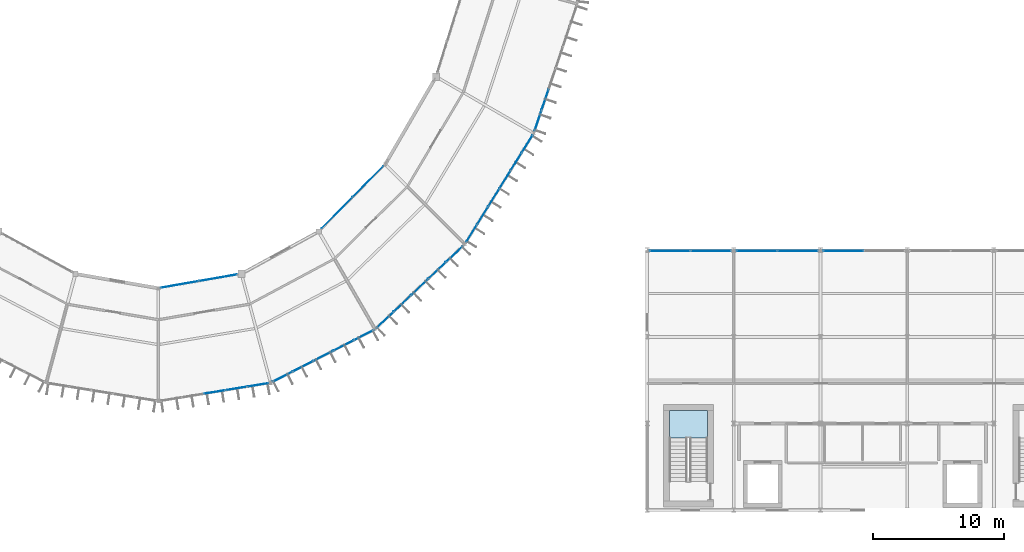
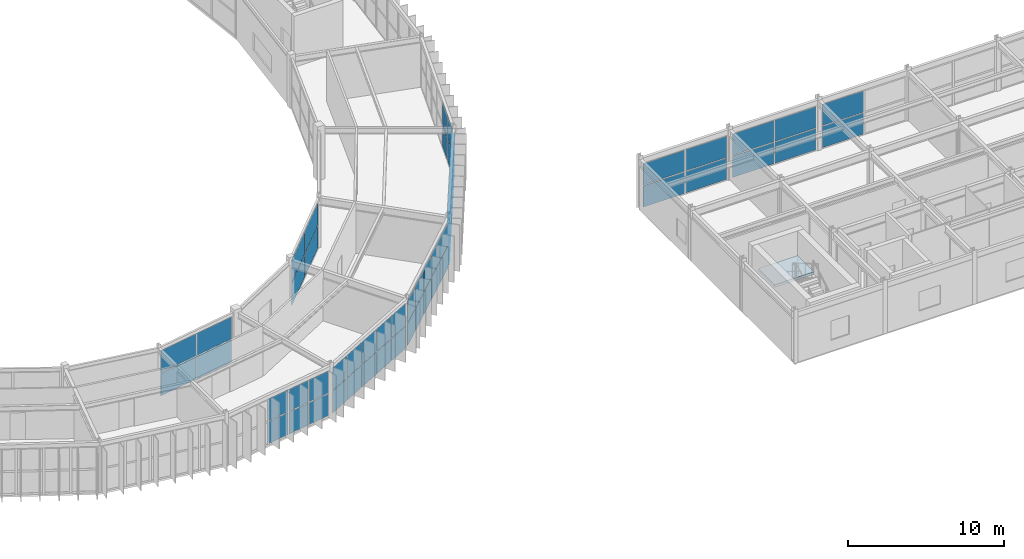
# One storey, part 95 of 134: 60 plates, 1 slab, 11 elements without a shape of their own.
"""IFC4 building model written with IfcOpenShell, lengths in metres."""

from ifc_helpers import new_model, si_unit, direction, frame, origin, origin_2d, place, context, subcontext, project, spatial, polyline, rectangle, outline, extrude, material, layer, layer_set, type_object, element, aggregate, save


model = new_model("IFC4")

# Units and contexts
model_context = context("Model", 3, precision=1e-05, world=origin(), true_north=direction((0.0, 1.0)))
body_context = subcontext(model_context, "Body", "Model", "MODEL_VIEW")
ifc_project = project(units=[si_unit("LENGTHUNIT", "METRE"), si_unit("AREAUNIT", "SQUARE_METRE"), si_unit("VOLUMEUNIT", "CUBIC_METRE"), si_unit("PLANEANGLEUNIT", "RADIAN"), si_unit("MASSUNIT", "GRAM", prefix="KILO")], contexts=[model_context])

# Site, building, storey
site_placement = place(None, origin())
site = spatial("IfcSite", under=ifc_project, at=site_placement, CompositionType="ELEMENT")
building_placement = place(site_placement, origin())
building = spatial("IfcBuilding", under=site, at=building_placement, Name="Karori Crest Natural Sciences Institute", CompositionType="ELEMENT")
storey_placement = place(building_placement, frame((0.0, 0.0, 21.699951171875)))
storey = spatial("IfcBuildingStorey", under=building, at=storey_placement, Name="L05", CompositionType="ELEMENT", Elevation=21.699951171875)

# Curtain wall, plates
ifc_material_1 = material(Name="Anodised architectural aluminium 6063-T6", Category="aluminium")
curtain_wall_type_1 = type_object("IfcCurtainWallType", Name="CWT-09", PredefinedType="NOTDEFINED", material=ifc_material_1)
curtain_wall_1_placement = place(storey_placement, origin())
curtain_wall_1 = element("IfcCurtainWall", 1, at=curtain_wall_1_placement, inside=storey, type_object=curtain_wall_type_1, Name="Curtain wall CW-0199", PredefinedType="NOTDEFINED")
ifc_material_2 = material(Name="Double low-E laminated glass", Category="glass")
ifc_layer_1 = layer(ifc_material_2, 0.02392578125, Name="Double low-E laminated glass")
ifc_layer_set_1 = layer_set([ifc_layer_1], Name="Double low-E laminated glass")
plate_type_1 = type_object("IfcPlateType", Name="CWP-01", PredefinedType="CURTAIN_PANEL", material=ifc_layer_set_1)
plate_1_placement = place(storey_placement, frame((73.970947265625, 10.332275390625, 0.06494140625), z_axis=(0.0, 0.0, 1.0), x_axis=(-0.987011397252, -0.160650246484, 0.0)))
plate_1 = element("IfcPlate", 2, at=plate_1_placement, type_object=plate_type_1, Name="CW-0199 panel 1.1", PredefinedType="CURTAIN_PANEL", context=body_context, shape_type="SweptSolid", body=[
    extrude(rectangle(XDim=1.582275390625, YDim=0.02392578125, at=origin_2d()), origin(), (0.0, 0.0, 1.0), 1.715087890625),
])
plate_2_placement = place(storey_placement, frame((73.970947265625, 10.332275390625, 1.84521484375), z_axis=(0.0, 0.0, 1.0), x_axis=(-0.987011397252, -0.160650246484, 0.0)))
plate_2 = element("IfcPlate", 3, at=plate_2_placement, type_object=plate_type_1, Name="CW-0199 panel 1.2", PredefinedType="CURTAIN_PANEL", context=body_context, shape_type="SweptSolid", body=[
    extrude(rectangle(XDim=1.582275390625, YDim=0.02392578125, at=origin_2d()), origin(), (0.0, 0.0, 1.0), 1.715087890625),
])
plate_3_placement = place(storey_placement, frame((72.328857421875, 10.06494140625, 0.06494140625), z_axis=(0.0, 0.0, 1.0), x_axis=(-0.987011397252, -0.160650246484, 0.0)))
plate_3 = element("IfcPlate", 4, at=plate_3_placement, type_object=plate_type_1, Name="CW-0199 panel 2.1", PredefinedType="CURTAIN_PANEL", context=body_context, shape_type="SweptSolid", body=[
    extrude(rectangle(XDim=1.61474609375, YDim=0.02392578125, at=origin_2d()), origin(), (0.0, 0.0, 1.0), 1.715087890625),
])
plate_4_placement = place(storey_placement, frame((72.328857421875, 10.06494140625, 1.84521484375), z_axis=(0.0, 0.0, 1.0), x_axis=(-0.987011397252, -0.160650246484, 0.0)))
plate_4 = element("IfcPlate", 5, at=plate_4_placement, type_object=plate_type_1, Name="CW-0199 panel 2.2", PredefinedType="CURTAIN_PANEL", context=body_context, shape_type="SweptSolid", body=[
    extrude(rectangle(XDim=1.61474609375, YDim=0.02392578125, at=origin_2d()), origin(), (0.0, 0.0, 1.0), 1.715087890625),
])
plate_5_placement = place(storey_placement, frame((70.6708984375, 9.795166015625, 0.06494140625), z_axis=(0.0, 0.0, 1.0), x_axis=(-0.987011397252, -0.160650246484, 0.0)))
plate_5 = element("IfcPlate", 6, at=plate_5_placement, type_object=plate_type_1, Name="CW-0199 panel 3.1", PredefinedType="CURTAIN_PANEL", context=body_context, shape_type="SweptSolid", body=[
    extrude(rectangle(XDim=1.61474609375, YDim=0.02392578125, at=origin_2d()), origin(), (0.0, 0.0, 1.0), 1.715087890625),
])
plate_6_placement = place(storey_placement, frame((70.6708984375, 9.795166015625, 1.84521484375), z_axis=(0.0, 0.0, 1.0), x_axis=(-0.987011397252, -0.160650246484, 0.0)))
plate_6 = element("IfcPlate", 7, at=plate_6_placement, type_object=plate_type_1, Name="CW-0199 panel 3.2", PredefinedType="CURTAIN_PANEL", context=body_context, shape_type="SweptSolid", body=[
    extrude(rectangle(XDim=1.61474609375, YDim=0.02392578125, at=origin_2d()), origin(), (0.0, 0.0, 1.0), 1.715087890625),
])
aggregate(curtain_wall_1, [plate_1, plate_2, plate_3, plate_4, plate_5, plate_6])

curtain_wall_type_2 = type_object("IfcCurtainWallType", Name="CWT-14", PredefinedType="NOTDEFINED", material=ifc_material_1)
curtain_wall_2_placement = place(storey_placement, origin())
curtain_wall_2 = element("IfcCurtainWall", 8, at=curtain_wall_2_placement, inside=storey, type_object=curtain_wall_type_2, Name="Curtain wall CW-0200", PredefinedType="NOTDEFINED")
plate_7_placement = place(storey_placement, frame((68.001953125, 17.978271484375, 0.06005859375), z_axis=(0.0, 0.0, 1.0), x_axis=(0.985240827231, 0.171173924291, 0.0)))
plate_7 = element("IfcPlate", 9, at=plate_7_placement, type_object=plate_type_1, Name="CW-0200 panel 1.1", PredefinedType="CURTAIN_PANEL", context=body_context, shape_type="SweptSolid", body=[
    extrude(rectangle(XDim=2.91796875, YDim=0.02392578125, at=origin_2d()), origin(), (0.0, 0.0, 1.0), 1.735107421875),
])
plate_8_placement = place(storey_placement, frame((68.001953125, 17.978271484375, 1.85498046875), z_axis=(0.0, 0.0, 1.0), x_axis=(0.985240827231, 0.171173924291, 0.0)))
plate_8 = element("IfcPlate", 10, at=plate_8_placement, type_object=plate_type_1, Name="CW-0200 panel 1.2", PredefinedType="CURTAIN_PANEL", context=body_context, shape_type="SweptSolid", body=[
    extrude(rectangle(XDim=2.91796875, YDim=0.02392578125, at=origin_2d()), origin(), (0.0, 0.0, 1.0), 1.735107421875),
])
plate_9_placement = place(storey_placement, frame((70.940673828125, 18.489013671875, 0.06005859375), z_axis=(0.0, 0.0, 1.0), x_axis=(0.985240827231, 0.171173924291, 0.0)))
plate_9 = element("IfcPlate", 11, at=plate_9_placement, type_object=plate_type_1, Name="CW-0200 panel 2.1", PredefinedType="CURTAIN_PANEL", context=body_context, shape_type="SweptSolid", body=[
    extrude(rectangle(XDim=2.91796875, YDim=0.02392578125, at=origin_2d()), origin(), (0.0, 0.0, 1.0), 1.735107421875),
])
plate_10_placement = place(storey_placement, frame((70.940673828125, 18.489013671875, 1.85498046875), z_axis=(0.0, 0.0, 1.0), x_axis=(0.985240827231, 0.171173924291, 0.0)))
plate_10 = element("IfcPlate", 12, at=plate_10_placement, type_object=plate_type_1, Name="CW-0200 panel 2.2", PredefinedType="CURTAIN_PANEL", context=body_context, shape_type="SweptSolid", body=[
    extrude(rectangle(XDim=2.91796875, YDim=0.02392578125, at=origin_2d()), origin(), (0.0, 0.0, 1.0), 1.735107421875),
])
aggregate(curtain_wall_2, [plate_7, plate_8, plate_9, plate_10])

curtain_wall_type_3 = type_object("IfcCurtainWallType", Name="CWT-11", PredefinedType="NOTDEFINED", material=ifc_material_1)
curtain_wall_3_placement = place(storey_placement, origin())
curtain_wall_3 = element("IfcCurtainWall", 13, at=curtain_wall_3_placement, inside=storey, type_object=curtain_wall_type_3, Name="Curtain wall CW-0203", PredefinedType="NOTDEFINED")
plate_11_placement = place(storey_placement, frame((79.99658203125, 23.42822265625, 0.06005859375), z_axis=(0.0, 0.0, 1.0), x_axis=(0.702660818381, 0.711524963942, 0.0)))
plate_11 = element("IfcPlate", 14, at=plate_11_placement, type_object=plate_type_1, Name="CW-0203 panel 1.1", PredefinedType="CURTAIN_PANEL", context=body_context, shape_type="SweptSolid", body=[
    extrude(rectangle(XDim=3.286865234375, YDim=0.02392578125, at=origin_2d()), origin(), (0.0, 0.0, 1.0), 1.735107421875),
])
plate_12_placement = place(storey_placement, frame((79.99658203125, 23.42822265625, 1.85498046875), z_axis=(0.0, 0.0, 1.0), x_axis=(0.702660818381, 0.711524963942, 0.0)))
plate_12 = element("IfcPlate", 15, at=plate_12_placement, type_object=plate_type_1, Name="CW-0203 panel 1.2", PredefinedType="CURTAIN_PANEL", context=body_context, shape_type="SweptSolid", body=[
    extrude(rectangle(XDim=3.286865234375, YDim=0.02392578125, at=origin_2d()), origin(), (0.0, 0.0, 1.0), 1.735107421875),
])
plate_13_placement = place(storey_placement, frame((82.351806640625, 25.813232421875, 0.06005859375), z_axis=(0.0, 0.0, 1.0), x_axis=(0.702660818381, 0.711524963942, 0.0)))
plate_13 = element("IfcPlate", 16, at=plate_13_placement, type_object=plate_type_1, Name="CW-0203 panel 2.1", PredefinedType="CURTAIN_PANEL", context=body_context, shape_type="SweptSolid", body=[
    extrude(rectangle(XDim=3.286865234375, YDim=0.02392578125, at=origin_2d()), origin(), (0.0, 0.0, 1.0), 1.735107421875),
])
plate_14_placement = place(storey_placement, frame((82.351806640625, 25.813232421875, 1.85498046875), z_axis=(0.0, 0.0, 1.0), x_axis=(0.702660818381, 0.711524963942, 0.0)))
plate_14 = element("IfcPlate", 17, at=plate_14_placement, type_object=plate_type_1, Name="CW-0203 panel 2.2", PredefinedType="CURTAIN_PANEL", context=body_context, shape_type="SweptSolid", body=[
    extrude(rectangle(XDim=3.286865234375, YDim=0.02392578125, at=origin_2d()), origin(), (0.0, 0.0, 1.0), 1.735107421875),
])
aggregate(curtain_wall_3, [plate_11, plate_12, plate_13, plate_14])

curtain_wall_type_4 = type_object("IfcCurtainWallType", Name="CWT-02", PredefinedType="NOTDEFINED", material=ifc_material_1)
curtain_wall_4_placement = place(storey_placement, origin())
curtain_wall_4 = element("IfcCurtainWall", 18, at=curtain_wall_4_placement, inside=storey, type_object=curtain_wall_type_4, Name="Curtain wall CW-0204", PredefinedType="NOTDEFINED")
plate_15_placement = place(storey_placement, frame((94.468505859375, 28.677978515625, 0.06005859375), z_axis=(0.0, 0.0, 1.0), x_axis=(-0.527323896352, -0.849664350398, 0.0)))
plate_15 = element("IfcPlate", 19, at=plate_15_placement, type_object=plate_type_1, Name="CW-0204 panel 1.1", PredefinedType="CURTAIN_PANEL", context=body_context, shape_type="SweptSolid", body=[
    extrude(rectangle(XDim=1.51025390625, YDim=0.02392578125, at=origin_2d()), origin(), (0.0, 0.0, 1.0), 1.722412109375),
])
plate_16_placement = place(storey_placement, frame((94.468505859375, 28.677978515625, 1.8427734375), z_axis=(0.0, 0.0, 1.0), x_axis=(-0.527323896352, -0.849664350398, 0.0)))
plate_16 = element("IfcPlate", 20, at=plate_16_placement, type_object=plate_type_1, Name="CW-0204 panel 1.2", PredefinedType="CURTAIN_PANEL", context=body_context, shape_type="SweptSolid", body=[
    extrude(rectangle(XDim=1.51025390625, YDim=0.02392578125, at=origin_2d()), origin(), (0.0, 0.0, 1.0), 1.722412109375),
])
plate_17_placement = place(storey_placement, frame((93.62939453125, 27.32568359375, 0.06005859375), z_axis=(0.0, 0.0, 1.0), x_axis=(-0.527323896352, -0.849664350398, 0.0)))
plate_17 = element("IfcPlate", 21, at=plate_17_placement, type_object=plate_type_1, Name="CW-0204 panel 2.1", PredefinedType="CURTAIN_PANEL", context=body_context, shape_type="SweptSolid", body=[
    extrude(rectangle(XDim=1.542724609375, YDim=0.02392578125, at=origin_2d()), origin(), (0.0, 0.0, 1.0), 1.722412109375),
])
plate_18_placement = place(storey_placement, frame((93.62939453125, 27.32568359375, 1.8427734375), z_axis=(0.0, 0.0, 1.0), x_axis=(-0.527323896352, -0.849664350398, 0.0)))
plate_18 = element("IfcPlate", 22, at=plate_18_placement, type_object=plate_type_1, Name="CW-0204 panel 2.2", PredefinedType="CURTAIN_PANEL", context=body_context, shape_type="SweptSolid", body=[
    extrude(rectangle(XDim=1.542724609375, YDim=0.02392578125, at=origin_2d()), origin(), (0.0, 0.0, 1.0), 1.722412109375),
])
plate_19_placement = place(storey_placement, frame((92.781494140625, 25.95947265625, 0.06005859375), z_axis=(0.0, 0.0, 1.0), x_axis=(-0.527323896352, -0.849664350398, 0.0)))
plate_19 = element("IfcPlate", 23, at=plate_19_placement, type_object=plate_type_1, Name="CW-0204 panel 3.1", PredefinedType="CURTAIN_PANEL", context=body_context, shape_type="SweptSolid", body=[
    extrude(rectangle(XDim=1.542724609375, YDim=0.02392578125, at=origin_2d()), origin(), (0.0, 0.0, 1.0), 1.722412109375),
])
plate_20_placement = place(storey_placement, frame((92.781494140625, 25.95947265625, 1.8427734375), z_axis=(0.0, 0.0, 1.0), x_axis=(-0.527323896352, -0.849664350398, 0.0)))
plate_20 = element("IfcPlate", 24, at=plate_20_placement, type_object=plate_type_1, Name="CW-0204 panel 3.2", PredefinedType="CURTAIN_PANEL", context=body_context, shape_type="SweptSolid", body=[
    extrude(rectangle(XDim=1.542724609375, YDim=0.02392578125, at=origin_2d()), origin(), (0.0, 0.0, 1.0), 1.722412109375),
])
plate_21_placement = place(storey_placement, frame((91.93359375, 24.593505859375, 0.06005859375), z_axis=(0.0, 0.0, 1.0), x_axis=(-0.527323896352, -0.849664350398, 0.0)))
plate_21 = element("IfcPlate", 25, at=plate_21_placement, type_object=plate_type_1, Name="CW-0204 panel 4.1", PredefinedType="CURTAIN_PANEL", context=body_context, shape_type="SweptSolid", body=[
    extrude(rectangle(XDim=1.542724609375, YDim=0.02392578125, at=origin_2d()), origin(), (0.0, 0.0, 1.0), 1.722412109375),
])
plate_22_placement = place(storey_placement, frame((91.93359375, 24.593505859375, 1.8427734375), z_axis=(0.0, 0.0, 1.0), x_axis=(-0.527323896352, -0.849664350398, 0.0)))
plate_22 = element("IfcPlate", 26, at=plate_22_placement, type_object=plate_type_1, Name="CW-0204 panel 4.2", PredefinedType="CURTAIN_PANEL", context=body_context, shape_type="SweptSolid", body=[
    extrude(rectangle(XDim=1.542724609375, YDim=0.02392578125, at=origin_2d()), origin(), (0.0, 0.0, 1.0), 1.722412109375),
])
plate_23_placement = place(storey_placement, frame((91.0859375, 23.227294921875, 0.06005859375), z_axis=(0.0, 0.0, 1.0), x_axis=(-0.527323896352, -0.849664350398, 0.0)))
plate_23 = element("IfcPlate", 27, at=plate_23_placement, type_object=plate_type_1, Name="CW-0204 panel 5.1", PredefinedType="CURTAIN_PANEL", context=body_context, shape_type="SweptSolid", body=[
    extrude(rectangle(XDim=1.542724609375, YDim=0.02392578125, at=origin_2d()), origin(), (0.0, 0.0, 1.0), 1.722412109375),
])
plate_24_placement = place(storey_placement, frame((91.0859375, 23.227294921875, 1.8427734375), z_axis=(0.0, 0.0, 1.0), x_axis=(-0.527323896352, -0.849664350398, 0.0)))
plate_24 = element("IfcPlate", 28, at=plate_24_placement, type_object=plate_type_1, Name="CW-0204 panel 5.2", PredefinedType="CURTAIN_PANEL", context=body_context, shape_type="SweptSolid", body=[
    extrude(rectangle(XDim=1.542724609375, YDim=0.02392578125, at=origin_2d()), origin(), (0.0, 0.0, 1.0), 1.722412109375),
])
plate_25_placement = place(storey_placement, frame((90.24658203125, 21.875244140625, 0.06005859375), z_axis=(0.0, 0.0, 1.0), x_axis=(-0.527323896352, -0.849664350398, 0.0)))
plate_25 = element("IfcPlate", 29, at=plate_25_placement, type_object=plate_type_1, Name="CW-0204 panel 6.1", PredefinedType="CURTAIN_PANEL", context=body_context, shape_type="SweptSolid", body=[
    extrude(rectangle(XDim=1.51025390625, YDim=0.02392578125, at=origin_2d()), origin(), (0.0, 0.0, 1.0), 1.722412109375),
])
plate_26_placement = place(storey_placement, frame((90.24658203125, 21.875244140625, 1.8427734375), z_axis=(0.0, 0.0, 1.0), x_axis=(-0.527323896352, -0.849664350398, 0.0)))
plate_26 = element("IfcPlate", 30, at=plate_26_placement, type_object=plate_type_1, Name="CW-0204 panel 6.2", PredefinedType="CURTAIN_PANEL", context=body_context, shape_type="SweptSolid", body=[
    extrude(rectangle(XDim=1.51025390625, YDim=0.02392578125, at=origin_2d()), origin(), (0.0, 0.0, 1.0), 1.722412109375),
])
aggregate(curtain_wall_4, [plate_15, plate_16, plate_17, plate_18, plate_19, plate_20, plate_21, plate_22, plate_23, plate_24, plate_25, plate_26])

curtain_wall_type_5 = type_object("IfcCurtainWallType", Name="CWT-20", PredefinedType="NOTDEFINED", material=ifc_material_1)
curtain_wall_5_placement = place(storey_placement, origin())
curtain_wall_5 = element("IfcCurtainWall", 31, at=curtain_wall_5_placement, inside=storey, type_object=curtain_wall_type_5, Name="Curtain wall CW-0340", PredefinedType="NOTDEFINED")
plate_27_placement = place(storey_placement, frame((105.343017578125, 20.5400390625, 0.06005859375), z_axis=(0.0, 0.0, 1.0), x_axis=(1.0, 0.0, 0.0)))
plate_27 = element("IfcPlate", 32, at=plate_27_placement, type_object=plate_type_1, Name="CW-0340 panel 1.1", PredefinedType="CURTAIN_PANEL", context=body_context, shape_type="SweptSolid", body=[
    extrude(rectangle(XDim=3.049072265625, YDim=0.02392578125, at=origin_2d()), origin(), (0.0, 0.0, 1.0), 1.66259765625),
])
plate_28_placement = place(storey_placement, frame((105.343017578125, 20.5400390625, 1.782470703125), z_axis=(0.0, 0.0, 1.0), x_axis=(1.0, 0.0, 0.0)))
plate_28 = element("IfcPlate", 33, at=plate_28_placement, type_object=plate_type_1, Name="CW-0340 panel 1.2", PredefinedType="CURTAIN_PANEL", context=body_context, shape_type="SweptSolid", body=[
    extrude(rectangle(XDim=3.049072265625, YDim=0.02392578125, at=origin_2d()), origin(), (0.0, 0.0, 1.0), 1.66259765625),
])
plate_29_placement = place(storey_placement, frame((108.45703125, 20.5400390625, 0.06005859375), z_axis=(0.0, 0.0, 1.0), x_axis=(1.0, 0.0, 0.0)))
plate_29 = element("IfcPlate", 34, at=plate_29_placement, type_object=plate_type_1, Name="CW-0340 panel 2.1", PredefinedType="CURTAIN_PANEL", context=body_context, shape_type="SweptSolid", body=[
    extrude(rectangle(XDim=3.049072265625, YDim=0.02392578125, at=origin_2d()), origin(), (0.0, 0.0, 1.0), 1.66259765625),
])
plate_30_placement = place(storey_placement, frame((108.45703125, 20.5400390625, 1.782470703125), z_axis=(0.0, 0.0, 1.0), x_axis=(1.0, 0.0, 0.0)))
plate_30 = element("IfcPlate", 35, at=plate_30_placement, type_object=plate_type_1, Name="CW-0340 panel 2.2", PredefinedType="CURTAIN_PANEL", context=body_context, shape_type="SweptSolid", body=[
    extrude(rectangle(XDim=3.049072265625, YDim=0.02392578125, at=origin_2d()), origin(), (0.0, 0.0, 1.0), 1.66259765625),
])
aggregate(curtain_wall_5, [plate_27, plate_28, plate_29, plate_30])

curtain_wall_6_placement = place(storey_placement, origin())
curtain_wall_6 = element("IfcCurtainWall", 36, at=curtain_wall_6_placement, inside=storey, type_object=curtain_wall_type_5, Name="Curtain wall CW-0341", PredefinedType="NOTDEFINED")
plate_31_placement = place(storey_placement, frame((111.943115234375, 20.5400390625, 0.06005859375), z_axis=(0.0, 0.0, 1.0), x_axis=(1.0, 0.0, 0.0)))
plate_31 = element("IfcPlate", 37, at=plate_31_placement, type_object=plate_type_1, Name="CW-0341 panel 1.1", PredefinedType="CURTAIN_PANEL", context=body_context, shape_type="SweptSolid", body=[
    extrude(rectangle(XDim=3.049072265625, YDim=0.02392578125, at=origin_2d()), origin(), (0.0, 0.0, 1.0), 1.66259765625),
])
plate_32_placement = place(storey_placement, frame((111.943115234375, 20.5400390625, 1.782470703125), z_axis=(0.0, 0.0, 1.0), x_axis=(1.0, 0.0, 0.0)))
plate_32 = element("IfcPlate", 38, at=plate_32_placement, type_object=plate_type_1, Name="CW-0341 panel 1.2", PredefinedType="CURTAIN_PANEL", context=body_context, shape_type="SweptSolid", body=[
    extrude(rectangle(XDim=3.049072265625, YDim=0.02392578125, at=origin_2d()), origin(), (0.0, 0.0, 1.0), 1.66259765625),
])
plate_33_placement = place(storey_placement, frame((115.056884765625, 20.5400390625, 0.06005859375), z_axis=(0.0, 0.0, 1.0), x_axis=(1.0, 0.0, 0.0)))
plate_33 = element("IfcPlate", 39, at=plate_33_placement, type_object=plate_type_1, Name="CW-0341 panel 2.1", PredefinedType="CURTAIN_PANEL", context=body_context, shape_type="SweptSolid", body=[
    extrude(rectangle(XDim=3.049072265625, YDim=0.02392578125, at=origin_2d()), origin(), (0.0, 0.0, 1.0), 1.66259765625),
])
plate_34_placement = place(storey_placement, frame((115.056884765625, 20.5400390625, 1.782470703125), z_axis=(0.0, 0.0, 1.0), x_axis=(1.0, 0.0, 0.0)))
plate_34 = element("IfcPlate", 40, at=plate_34_placement, type_object=plate_type_1, Name="CW-0341 panel 2.2", PredefinedType="CURTAIN_PANEL", context=body_context, shape_type="SweptSolid", body=[
    extrude(rectangle(XDim=3.049072265625, YDim=0.02392578125, at=origin_2d()), origin(), (0.0, 0.0, 1.0), 1.66259765625),
])
aggregate(curtain_wall_6, [plate_31, plate_32, plate_33, plate_34])

curtain_wall_7_placement = place(storey_placement, origin())
curtain_wall_7 = element("IfcCurtainWall", 41, at=curtain_wall_7_placement, inside=storey, type_object=curtain_wall_type_5, Name="Curtain wall CW-0342", PredefinedType="NOTDEFINED")
plate_35_placement = place(storey_placement, frame((118.54296875, 20.5400390625, 0.06005859375), z_axis=(0.0, 0.0, 1.0), x_axis=(1.0, 0.0, 0.0)))
plate_35 = element("IfcPlate", 42, at=plate_35_placement, type_object=plate_type_1, Name="CW-0342 panel 1.1", PredefinedType="CURTAIN_PANEL", context=body_context, shape_type="SweptSolid", body=[
    extrude(rectangle(XDim=3.049072265625, YDim=0.02392578125, at=origin_2d()), origin(), (0.0, 0.0, 1.0), 1.66259765625),
])
plate_36_placement = place(storey_placement, frame((118.54296875, 20.5400390625, 1.782470703125), z_axis=(0.0, 0.0, 1.0), x_axis=(1.0, 0.0, 0.0)))
plate_36 = element("IfcPlate", 43, at=plate_36_placement, type_object=plate_type_1, Name="CW-0342 panel 1.2", PredefinedType="CURTAIN_PANEL", context=body_context, shape_type="SweptSolid", body=[
    extrude(rectangle(XDim=3.049072265625, YDim=0.02392578125, at=origin_2d()), origin(), (0.0, 0.0, 1.0), 1.66259765625),
])
aggregate(curtain_wall_7, [plate_35, plate_36])

curtain_wall_type_6 = type_object("IfcCurtainWallType", Name="CWT-10", PredefinedType="NOTDEFINED", material=ifc_material_1)
curtain_wall_8_placement = place(storey_placement, origin())
curtain_wall_8 = element("IfcCurtainWall", 44, at=curtain_wall_8_placement, inside=storey, type_object=curtain_wall_type_6, Name="Curtain wall CW-0201", PredefinedType="NOTDEFINED")
ifc_layer_2 = layer(ifc_material_2, 0.033935546875, Name="Double low-E laminated glass")
ifc_layer_set_2 = layer_set([ifc_layer_2], Name="Double low-E laminated glass")
plate_type_2 = type_object("IfcPlateType", Name="CWP-02", PredefinedType="CURTAIN_PANEL", material=ifc_layer_set_2)
plate_37_placement = place(storey_placement, frame((82.034423828125, 14.123046875, 0.06005859375), z_axis=(0.0, 0.0, 1.0), x_axis=(-0.890067432138, -0.455828878252, 0.0)))
plate_37 = element("IfcPlate", 45, at=plate_37_placement, type_object=plate_type_2, Name="CW-0201 panel 1.1", PredefinedType="CURTAIN_PANEL", context=body_context, shape_type="SweptSolid", body=[
    extrude(rectangle(XDim=1.645751953125, YDim=0.033935546875, at=origin_2d()), origin(), (0.0, 0.0, 1.0), 1.722412109375),
])
plate_38_placement = place(storey_placement, frame((82.034423828125, 14.123046875, 1.8427734375), z_axis=(0.0, 0.0, 1.0), x_axis=(-0.890067432138, -0.455828878252, 0.0)))
plate_38 = element("IfcPlate", 46, at=plate_38_placement, type_object=plate_type_2, Name="CW-0201 panel 1.2", PredefinedType="CURTAIN_PANEL", context=body_context, shape_type="SweptSolid", body=[
    extrude(rectangle(XDim=1.645751953125, YDim=0.033935546875, at=origin_2d()), origin(), (0.0, 0.0, 1.0), 1.722412109375),
])
plate_39_placement = place(storey_placement, frame((80.497314453125, 13.335693359375, 0.06005859375), z_axis=(0.0, 0.0, 1.0), x_axis=(-0.890067432138, -0.455828878252, 0.0)))
plate_39 = element("IfcPlate", 47, at=plate_39_placement, type_object=plate_type_2, Name="CW-0201 panel 2.1", PredefinedType="CURTAIN_PANEL", context=body_context, shape_type="SweptSolid", body=[
    extrude(rectangle(XDim=1.678466796875, YDim=0.033935546875, at=origin_2d()), origin(), (0.0, 0.0, 1.0), 1.722412109375),
])
plate_40_placement = place(storey_placement, frame((80.497314453125, 13.335693359375, 1.8427734375), z_axis=(0.0, 0.0, 1.0), x_axis=(-0.890067432138, -0.455828878252, 0.0)))
plate_40 = element("IfcPlate", 48, at=plate_40_placement, type_object=plate_type_2, Name="CW-0201 panel 2.2", PredefinedType="CURTAIN_PANEL", context=body_context, shape_type="SweptSolid", body=[
    extrude(rectangle(XDim=1.678466796875, YDim=0.033935546875, at=origin_2d()), origin(), (0.0, 0.0, 1.0), 1.722412109375),
])
plate_41_placement = place(storey_placement, frame((78.945556640625, 12.541015625, 0.06005859375), z_axis=(0.0, 0.0, 1.0), x_axis=(-0.890067432138, -0.455828878252, 0.0)))
plate_41 = element("IfcPlate", 49, at=plate_41_placement, type_object=plate_type_2, Name="CW-0201 panel 3.1", PredefinedType="CURTAIN_PANEL", context=body_context, shape_type="SweptSolid", body=[
    extrude(rectangle(XDim=1.678466796875, YDim=0.033935546875, at=origin_2d()), origin(), (0.0, 0.0, 1.0), 1.722412109375),
])
plate_42_placement = place(storey_placement, frame((78.945556640625, 12.541015625, 1.8427734375), z_axis=(0.0, 0.0, 1.0), x_axis=(-0.890067432138, -0.455828878252, 0.0)))
plate_42 = element("IfcPlate", 50, at=plate_42_placement, type_object=plate_type_2, Name="CW-0201 panel 3.2", PredefinedType="CURTAIN_PANEL", context=body_context, shape_type="SweptSolid", body=[
    extrude(rectangle(XDim=1.678466796875, YDim=0.033935546875, at=origin_2d()), origin(), (0.0, 0.0, 1.0), 1.722412109375),
])
plate_43_placement = place(storey_placement, frame((77.393798828125, 11.746337890625, 0.06005859375), z_axis=(0.0, 0.0, 1.0), x_axis=(-0.890067432138, -0.455828878252, 0.0)))
plate_43 = element("IfcPlate", 51, at=plate_43_placement, type_object=plate_type_2, Name="CW-0201 panel 4.1", PredefinedType="CURTAIN_PANEL", context=body_context, shape_type="SweptSolid", body=[
    extrude(rectangle(XDim=1.678466796875, YDim=0.033935546875, at=origin_2d()), origin(), (0.0, 0.0, 1.0), 1.722412109375),
])
plate_44_placement = place(storey_placement, frame((77.393798828125, 11.746337890625, 1.8427734375), z_axis=(0.0, 0.0, 1.0), x_axis=(-0.890067432138, -0.455828878252, 0.0)))
plate_44 = element("IfcPlate", 52, at=plate_44_placement, type_object=plate_type_2, Name="CW-0201 panel 4.2", PredefinedType="CURTAIN_PANEL", context=body_context, shape_type="SweptSolid", body=[
    extrude(rectangle(XDim=1.678466796875, YDim=0.033935546875, at=origin_2d()), origin(), (0.0, 0.0, 1.0), 1.722412109375),
])
plate_45_placement = place(storey_placement, frame((75.8564453125, 10.958984375, 0.06005859375), z_axis=(0.0, 0.0, 1.0), x_axis=(-0.890067432138, -0.455828878252, 0.0)))
plate_45 = element("IfcPlate", 53, at=plate_45_placement, type_object=plate_type_2, Name="CW-0201 panel 5.1", PredefinedType="CURTAIN_PANEL", context=body_context, shape_type="SweptSolid", body=[
    extrude(rectangle(XDim=1.645751953125, YDim=0.033935546875, at=origin_2d()), origin(), (0.0, 0.0, 1.0), 1.722412109375),
])
plate_46_placement = place(storey_placement, frame((75.8564453125, 10.958984375, 1.8427734375), z_axis=(0.0, 0.0, 1.0), x_axis=(-0.890067432138, -0.455828878252, 0.0)))
plate_46 = element("IfcPlate", 54, at=plate_46_placement, type_object=plate_type_2, Name="CW-0201 panel 5.2", PredefinedType="CURTAIN_PANEL", context=body_context, shape_type="SweptSolid", body=[
    extrude(rectangle(XDim=1.645751953125, YDim=0.033935546875, at=origin_2d()), origin(), (0.0, 0.0, 1.0), 1.722412109375),
])
aggregate(curtain_wall_8, [plate_37, plate_38, plate_39, plate_40, plate_41, plate_42, plate_43, plate_44, plate_45, plate_46])

curtain_wall_type_7 = type_object("IfcCurtainWallType", Name="CWT-03", PredefinedType="NOTDEFINED", material=ifc_material_1)
curtain_wall_9_placement = place(storey_placement, origin())
curtain_wall_9 = element("IfcCurtainWall", 55, at=curtain_wall_9_placement, inside=storey, type_object=curtain_wall_type_7, Name="Curtain wall CW-0205", PredefinedType="NOTDEFINED")
plate_47_placement = place(storey_placement, frame((95.827880859375, 32.0341796875, 0.06494140625), z_axis=(0.0, 0.0, 1.0), x_axis=(-0.317679803392, -0.94819805026, 0.0)))
plate_47 = element("IfcPlate", 56, at=plate_47_placement, type_object=plate_type_2, Name="CW-0205 panel 5.1", PredefinedType="CURTAIN_PANEL", context=body_context, shape_type="SweptSolid", body=[
    extrude(rectangle(XDim=1.628662109375, YDim=0.033935546875, at=origin_2d()), origin(), (0.0, 0.0, 1.0), 1.715087890625),
])
plate_48_placement = place(storey_placement, frame((95.827880859375, 32.0341796875, 1.84521484375), z_axis=(0.0, 0.0, 1.0), x_axis=(-0.317679803392, -0.94819805026, 0.0)))
plate_48 = element("IfcPlate", 57, at=plate_48_placement, type_object=plate_type_2, Name="CW-0205 panel 5.2", PredefinedType="CURTAIN_PANEL", context=body_context, shape_type="SweptSolid", body=[
    extrude(rectangle(XDim=1.628662109375, YDim=0.033935546875, at=origin_2d()), origin(), (0.0, 0.0, 1.0), 1.715087890625),
])
plate_49_placement = place(storey_placement, frame((95.294921875, 30.443603515625, 0.06494140625), z_axis=(0.0, 0.0, 1.0), x_axis=(-0.317679803392, -0.94819805026, 0.0)))
plate_49 = element("IfcPlate", 58, at=plate_49_placement, type_object=plate_type_2, Name="CW-0205 panel 6.1", PredefinedType="CURTAIN_PANEL", context=body_context, shape_type="SweptSolid", body=[
    extrude(rectangle(XDim=1.59619140625, YDim=0.033935546875, at=origin_2d()), origin(), (0.0, 0.0, 1.0), 1.715087890625),
])
plate_50_placement = place(storey_placement, frame((95.294921875, 30.443603515625, 1.84521484375), z_axis=(0.0, 0.0, 1.0), x_axis=(-0.317679803392, -0.94819805026, 0.0)))
plate_50 = element("IfcPlate", 59, at=plate_50_placement, type_object=plate_type_2, Name="CW-0205 panel 6.2", PredefinedType="CURTAIN_PANEL", context=body_context, shape_type="SweptSolid", body=[
    extrude(rectangle(XDim=1.59619140625, YDim=0.033935546875, at=origin_2d()), origin(), (0.0, 0.0, 1.0), 1.715087890625),
])
aggregate(curtain_wall_9, [plate_47, plate_48, plate_49, plate_50])

curtain_wall_type_8 = type_object("IfcCurtainWallType", Name="CWT-01", PredefinedType="NOTDEFINED", material=ifc_material_1)
curtain_wall_10_placement = place(storey_placement, origin())
curtain_wall_10 = element("IfcCurtainWall", 60, at=curtain_wall_10_placement, inside=storey, type_object=curtain_wall_type_8, Name="Curtain wall CW-0202", PredefinedType="NOTDEFINED")
ifc_layer_3 = layer(ifc_material_2, 0.0439453125, Name="Double low-E laminated glass")
ifc_layer_set_3 = layer_set([ifc_layer_3], Name="Double low-E laminated glass")
plate_type_3 = type_object("IfcPlateType", Name="CWP-03", PredefinedType="CURTAIN_PANEL", material=ifc_layer_set_3)
plate_51_placement = place(storey_placement, frame((88.932861328125, 20.28955078125, 0.06494140625), z_axis=(0.0, 0.0, 1.0), x_axis=(-0.725473081026, -0.688250542104, 0.0)))
plate_51 = element("IfcPlate", 61, at=plate_51_placement, type_object=plate_type_3, Name="CW-0202 panel 1.1", PredefinedType="CURTAIN_PANEL", context=body_context, shape_type="SweptSolid", body=[
    extrude(rectangle(XDim=1.73095703125, YDim=0.0439453125, at=origin_2d()), origin(), (0.0, 0.0, 1.0), 1.715087890625),
])
plate_52_placement = place(storey_placement, frame((88.932861328125, 20.28955078125, 1.84521484375), z_axis=(0.0, 0.0, 1.0), x_axis=(-0.725473081026, -0.688250542104, 0.0)))
plate_52 = element("IfcPlate", 62, at=plate_52_placement, type_object=plate_type_3, Name="CW-0202 panel 1.2", PredefinedType="CURTAIN_PANEL", context=body_context, shape_type="SweptSolid", body=[
    extrude(rectangle(XDim=1.73095703125, YDim=0.0439453125, at=origin_2d()), origin(), (0.0, 0.0, 1.0), 1.715087890625),
])
plate_53_placement = place(storey_placement, frame((87.6181640625, 19.042236328125, 0.06494140625), z_axis=(0.0, 0.0, 1.0), x_axis=(-0.725473081026, -0.688250542104, 0.0)))
plate_53 = element("IfcPlate", 63, at=plate_53_placement, type_object=plate_type_3, Name="CW-0202 panel 2.1", PredefinedType="CURTAIN_PANEL", context=body_context, shape_type="SweptSolid", body=[
    extrude(rectangle(XDim=1.763427734375, YDim=0.0439453125, at=origin_2d()), origin(), (0.0, 0.0, 1.0), 1.715087890625),
])
plate_54_placement = place(storey_placement, frame((87.6181640625, 19.042236328125, 1.84521484375), z_axis=(0.0, 0.0, 1.0), x_axis=(-0.725473081026, -0.688250542104, 0.0)))
plate_54 = element("IfcPlate", 64, at=plate_54_placement, type_object=plate_type_3, Name="CW-0202 panel 2.2", PredefinedType="CURTAIN_PANEL", context=body_context, shape_type="SweptSolid", body=[
    extrude(rectangle(XDim=1.763427734375, YDim=0.0439453125, at=origin_2d()), origin(), (0.0, 0.0, 1.0), 1.715087890625),
])
plate_55_placement = place(storey_placement, frame((86.291748046875, 17.783935546875, 0.06494140625), z_axis=(0.0, 0.0, 1.0), x_axis=(-0.725473081026, -0.688250542104, 0.0)))
plate_55 = element("IfcPlate", 65, at=plate_55_placement, type_object=plate_type_3, Name="CW-0202 panel 3.1", PredefinedType="CURTAIN_PANEL", context=body_context, shape_type="SweptSolid", body=[
    extrude(rectangle(XDim=1.763427734375, YDim=0.0439453125, at=origin_2d()), origin(), (0.0, 0.0, 1.0), 1.715087890625),
])
plate_56_placement = place(storey_placement, frame((86.291748046875, 17.783935546875, 1.84521484375), z_axis=(0.0, 0.0, 1.0), x_axis=(-0.725473081026, -0.688250542104, 0.0)))
plate_56 = element("IfcPlate", 66, at=plate_56_placement, type_object=plate_type_3, Name="CW-0202 panel 3.2", PredefinedType="CURTAIN_PANEL", context=body_context, shape_type="SweptSolid", body=[
    extrude(rectangle(XDim=1.763427734375, YDim=0.0439453125, at=origin_2d()), origin(), (0.0, 0.0, 1.0), 1.715087890625),
])
plate_57_placement = place(storey_placement, frame((84.96533203125, 16.525390625, 0.06494140625), z_axis=(0.0, 0.0, 1.0), x_axis=(-0.725473081026, -0.688250542104, 0.0)))
plate_57 = element("IfcPlate", 67, at=plate_57_placement, type_object=plate_type_3, Name="CW-0202 panel 4.1", PredefinedType="CURTAIN_PANEL", context=body_context, shape_type="SweptSolid", body=[
    extrude(rectangle(XDim=1.763427734375, YDim=0.0439453125, at=origin_2d()), origin(), (0.0, 0.0, 1.0), 1.715087890625),
])
plate_58_placement = place(storey_placement, frame((84.96533203125, 16.525390625, 1.84521484375), z_axis=(0.0, 0.0, 1.0), x_axis=(-0.725473081026, -0.688250542104, 0.0)))
plate_58 = element("IfcPlate", 68, at=plate_58_placement, type_object=plate_type_3, Name="CW-0202 panel 4.2", PredefinedType="CURTAIN_PANEL", context=body_context, shape_type="SweptSolid", body=[
    extrude(rectangle(XDim=1.763427734375, YDim=0.0439453125, at=origin_2d()), origin(), (0.0, 0.0, 1.0), 1.715087890625),
])
plate_59_placement = place(storey_placement, frame((83.650634765625, 15.2783203125, 0.06494140625), z_axis=(0.0, 0.0, 1.0), x_axis=(-0.725473081026, -0.688250542104, 0.0)))
plate_59 = element("IfcPlate", 69, at=plate_59_placement, type_object=plate_type_3, Name="CW-0202 panel 5.1", PredefinedType="CURTAIN_PANEL", context=body_context, shape_type="SweptSolid", body=[
    extrude(rectangle(XDim=1.73095703125, YDim=0.0439453125, at=origin_2d()), origin(), (0.0, 0.0, 1.0), 1.715087890625),
])
plate_60_placement = place(storey_placement, frame((83.650634765625, 15.2783203125, 1.84521484375), z_axis=(0.0, 0.0, 1.0), x_axis=(-0.725473081026, -0.688250542104, 0.0)))
plate_60 = element("IfcPlate", 70, at=plate_60_placement, type_object=plate_type_3, Name="CW-0202 panel 5.2", PredefinedType="CURTAIN_PANEL", context=body_context, shape_type="SweptSolid", body=[
    extrude(rectangle(XDim=1.73095703125, YDim=0.0439453125, at=origin_2d()), origin(), (0.0, 0.0, 1.0), 1.715087890625),
])
aggregate(curtain_wall_10, [plate_51, plate_52, plate_53, plate_54, plate_55, plate_56, plate_57, plate_58, plate_59, plate_60])

# Stair, slab
ifc_material_3 = material(Name="Concrete 40 MPa", Category="concrete")
stair_type = type_object("IfcStairType", Name="STT-01", PredefinedType="HALF_TURN_STAIR", material=ifc_material_3)
stair_placement = place(storey_placement, origin())
stair = element("IfcStair", 71, at=stair_placement, inside=storey, type_object=stair_type, Name="Protected stair ST-03-L05", PredefinedType="HALF_TURN_STAIR")
ifc_layer_4 = layer(ifc_material_3, 0.2099609375, Name="Concrete 40 MPa")
ifc_layer_set_4 = layer_set([ifc_layer_4], Name="Concrete 40 MPa")
slab_type = type_object("IfcSlabType", Name="SLT-11", PredefinedType="LANDING", material=ifc_layer_set_4)
slab_placement = place(storey_placement, frame((0.0, 0.0, 1.89013671875)))
slab = element("IfcSlab", 72, at=slab_placement, type_object=slab_type, Name="ST-03-L05 landing 1", PredefinedType="LANDING", context=body_context, shape_type="SweptSolid", body=[
    extrude(outline(polyline([(108.199951171875, 6.300048828125), (108.199951171875, 8.39990234375), (105.300048828125, 8.39990234375), (105.300048828125, 6.300048828125), (108.199951171875, 6.300048828125)])), origin(), (0.0, 0.0, 1.0), 0.2099609375),
])
aggregate(stair, [slab])

save(model, "model.ifc")
